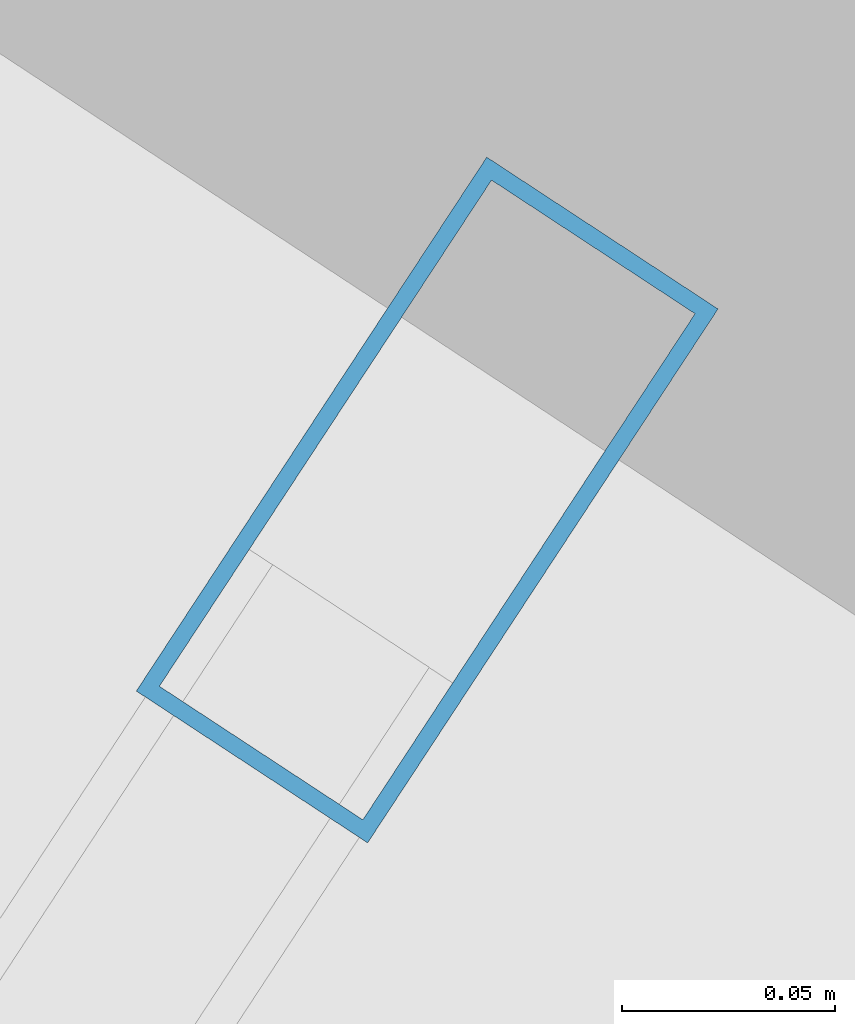
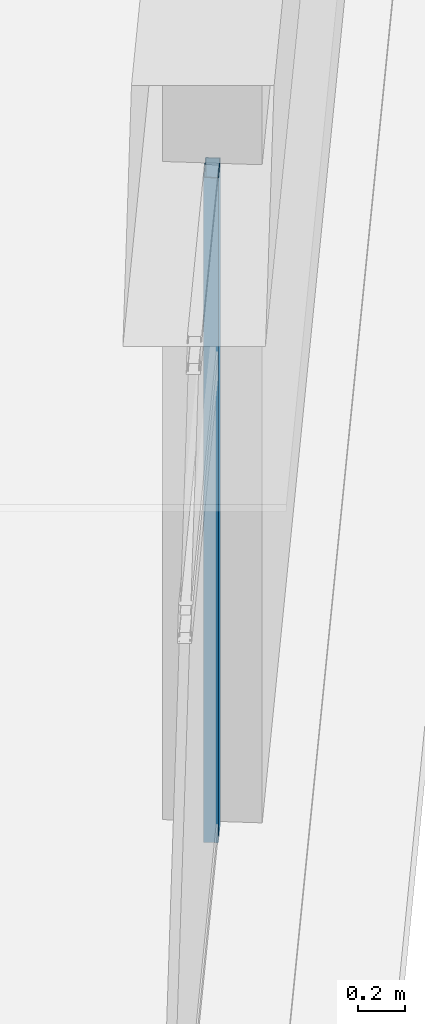
# One storey, part 8 of 30: 1 member, 1 element without a shape of its own.
"""IFC4 building model written with IfcOpenShell, lengths in metres."""

from ifc_helpers import new_model, si_unit, direction, frame, origin, origin_2d, place, context, subcontext, project, spatial, hollow_rectangle, extrude, source, transform, mapped, material, layer, layer_set, material_profile, profile_set, type_object, element, aggregate, save


model = new_model("IFC4")

# Units and contexts
model_context = context("Model", 3, precision=1e-05, world=origin(), true_north=direction((0.0, 1.0)))
body_context = subcontext(model_context, "Body", "Model", "MODEL_VIEW")
ifc_project = project(units=[si_unit("LENGTHUNIT", "METRE"), si_unit("AREAUNIT", "SQUARE_METRE"), si_unit("VOLUMEUNIT", "CUBIC_METRE"), si_unit("PLANEANGLEUNIT", "RADIAN"), si_unit("MASSUNIT", "GRAM", prefix="KILO")], contexts=[model_context])

# Site, building, storey
site_placement = place(None, origin())
site = spatial("IfcSite", under=ifc_project, at=site_placement, CompositionType="ELEMENT")
building_placement = place(site_placement, origin())
building = spatial("IfcBuilding", under=site, at=building_placement, Name="Liaohun Quay Tower", CompositionType="ELEMENT")
storey_placement = place(building_placement, frame((0.0, 0.0, 97.5)))
storey = spatial("IfcBuildingStorey", under=building, at=storey_placement, Name="L25", CompositionType="ELEMENT", Elevation=97.5)

# Curtain wall, member
ifc_material_1 = material(Name="Low-rise sky-lobby belvedere curtain wall")
ifc_layer = layer(ifc_material_1, 0.199951171875, Name="Low-rise sky-lobby belvedere curtain wall")
ifc_layer_set = layer_set([ifc_layer], Name="Low-rise sky-lobby belvedere curtain wall")
curtain_wall_type = type_object("IfcCurtainWallType", Name="CW-SKY-L25", PredefinedType="NOTDEFINED", material=ifc_layer_set)
curtain_wall_placement = place(storey_placement, origin())
curtain_wall = element("IfcCurtainWall", 1, at=curtain_wall_placement, inside=storey, type_object=curtain_wall_type, Name="L25 Panoramic Belvedere Curtain Wall 01", PredefinedType="NOTDEFINED")
ifc_material_2 = material(Name="Anodised aluminium 6063-T6", Category="aluminium")
ifc_material_profile = material_profile(ifc_material_2, hollow_rectangle(XDim=0.06494140625, YDim=0.14990234375, WallThickness=0.00390625, at=origin_2d()), Name="RHS150x65x4")
ifc_profile_set = profile_set([ifc_material_profile], Name="Anodised aluminium 6063-T6")
member_type = type_object("IfcMemberType", Name="MEM-CWM-SKY", PredefinedType="MULLION", material=ifc_profile_set)
shared_shape = source(origin(), body_context, "Body", "SweptSolid", [
    extrude(hollow_rectangle(XDim=0.06494140625, YDim=0.14990234375, WallThickness=0.00390625, at=origin_2d()), origin(), (0.0, 0.0, 1.0), 3.419921875),
])
member_placement = place(storey_placement, frame((77.170166015625, 31.431884765625, 0.0), z_axis=(0.0, 0.0, 1.0), x_axis=(-0.836018795372, 0.548700805343, 0.0)))
member = element("IfcMember", 2, at=member_placement, type_object=member_type, Name="CW3 mullion 3", PredefinedType="MULLION", context=body_context, shape_type="MappedRepresentation", body=[
    mapped(shared_shape, transform((0.0, 0.0, 0.0), x_axis=(1.0, 0.0, 0.0), y_axis=(0.0, 1.0, 0.0), z_axis=(0.0, 0.0, 1.0), scale=1.0)),
])
aggregate(curtain_wall, [member])

save(model, "model.ifc")
